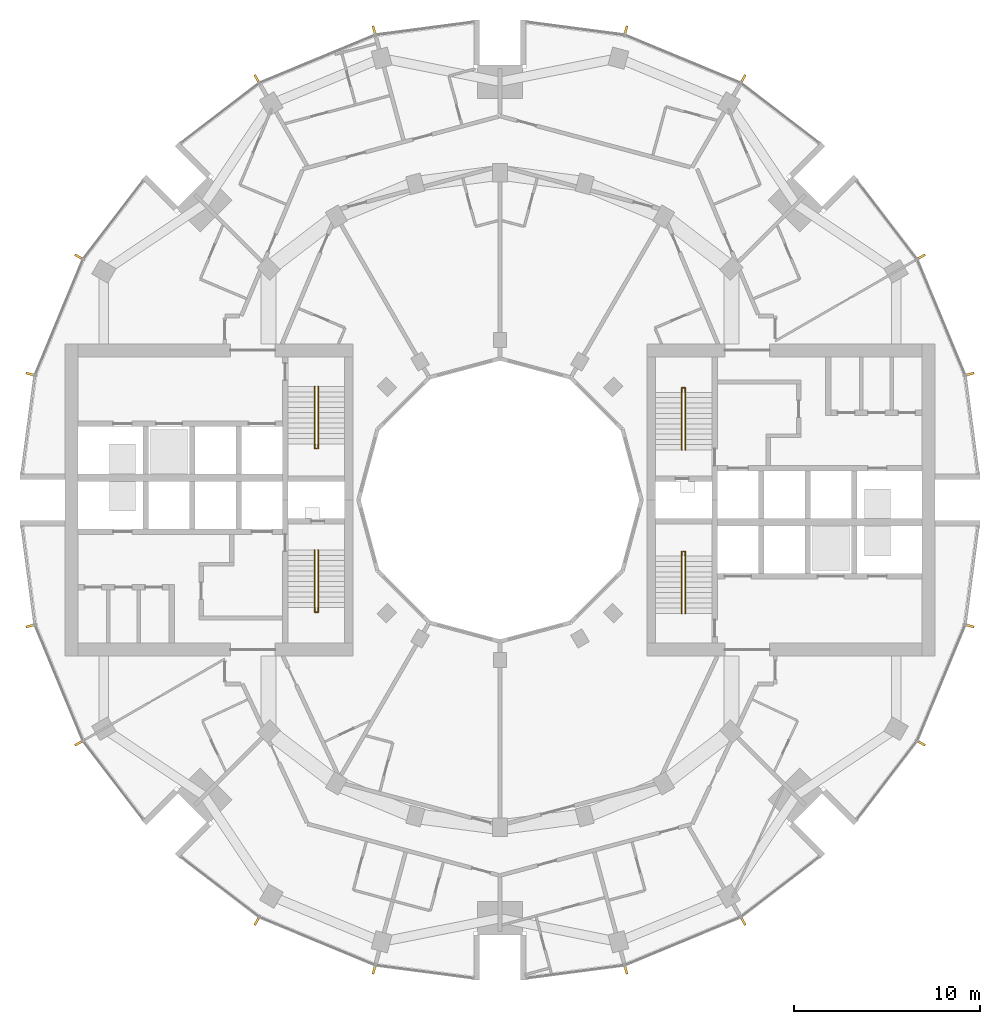
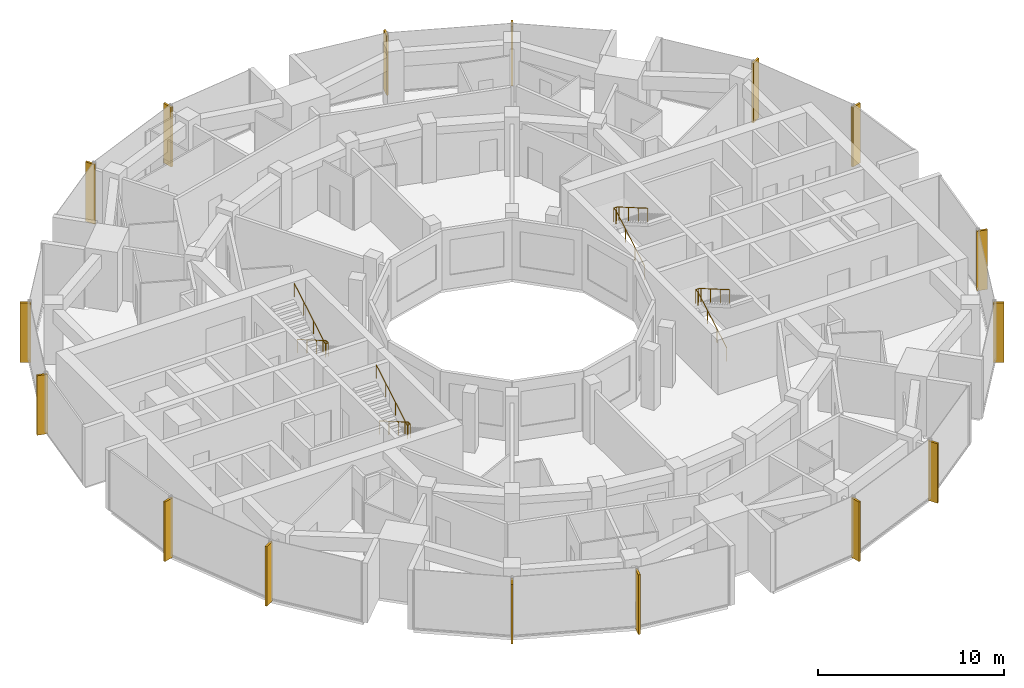
# One storey, part 14 of 15: 16 shading devices, 4 railings.
"""IFC4 building model written with IfcOpenShell, lengths in metres."""

from ifc_helpers import new_model, si_unit, direction, frame, origin, origin_2d, place, context, subcontext, project, spatial, rectangle, circle, extrude, material, material_profile, profile_set, type_object, element, save


model = new_model("IFC4")

# Units and contexts
model_context = context("Model", 3, precision=1e-05, world=origin(), true_north=direction((0.0, 1.0)))
body_context = subcontext(model_context, "Body", "Model", "MODEL_VIEW")
ifc_project = project(units=[si_unit("LENGTHUNIT", "METRE"), si_unit("AREAUNIT", "SQUARE_METRE"), si_unit("VOLUMEUNIT", "CUBIC_METRE"), si_unit("PLANEANGLEUNIT", "RADIAN"), si_unit("MASSUNIT", "GRAM", prefix="KILO")], contexts=[model_context])

# Site, building, storey
site_placement = place(None, origin())
site = spatial("IfcSite", under=ifc_project, at=site_placement, CompositionType="ELEMENT")
building_placement = place(site_placement, origin())
building = spatial("IfcBuilding", under=site, at=building_placement, Name="Torre Brocal", CompositionType="ELEMENT")
storey_placement = place(building_placement, frame((0.0, 0.0, 134.10009765625)))
storey = spatial("IfcBuildingStorey", under=building, at=storey_placement, Name="L31", CompositionType="ELEMENT", Elevation=134.10009765625)

# Shading devices
ifc_material_1 = material(Name="Aluminium, black anodised", Category="aluminium")
ifc_material_profile = material_profile(ifc_material_1, rectangle(XDim=0.1201171875, YDim=0.60009765625, at=origin_2d()), Name="FIN 120X600 3900 HIGH")
ifc_profile_set = profile_set([ifc_material_profile], Name="Aluminium, black anodised")
shading_device_type = type_object("IfcShadingDeviceType", Name="FIN 120X600 3900 HIGH", PredefinedType="USERDEFINED", material=ifc_profile_set)
for number, where, z_axis, x_axis, name in (
    (1, (105.208984375, 81.754638671875, -0.150146484375), (0.0, 0.0, 1.0), (-0.258819045103, 0.965925826289, 0.0), "FIN"),
    (2, (102.601806640625, 88.049072265625, -0.150146484375), (0.0, 0.0, 1.0), (-0.5, 0.866025403784, 0.0), "FIN"),
    (3, (93.049072265625, 97.601806640625, -0.150146484375), (0.0, 0.0, 1.0), (-0.866025403784, 0.5, 0.0), "FIN"),
    (4, (86.754638671875, 100.208984375, -0.150146484375), (0.0, 0.0, 1.0), (-0.965925826289, 0.258819045103, 0.0), "FIN"),
    (5, (73.245361328125, 100.208984375, -0.150146484375), (0.0, 0.0, 1.0), (-0.965925826289, -0.258819045103, 0.0), "FIN"),
    (6, (66.950927734375, 97.601806640625, -0.150146484375), (0.0, 0.0, 1.0), (-0.866025403784, -0.5, 0.0), "FIN"),
    (7, (57.398193359375, 88.049072265625, -0.150146484375), (0.0, 0.0, 1.0), (-0.5, -0.866025403784, 0.0), "FIN"),
    (8, (54.791015625, 81.754638671875, -0.150146484375), (0.0, 0.0, 1.0), (-0.258819045103, -0.965925826289, 0.0), "FIN"),
    (9, (54.791015625, 68.245361328125, -0.150146484375), (0.0, 0.0, 1.0), (0.258819045103, -0.965925826289, 0.0), "FIN"),
    (10, (57.398193359375, 61.950927734375, -0.150146484375), (0.0, 0.0, 1.0), (0.5, -0.866025403784, 0.0), "FIN"),
    (11, (66.950927734375, 52.398193359375, -0.150146484375), (0.0, 0.0, 1.0), (0.866025403784, -0.5, 0.0), "FIN"),
    (12, (73.245361328125, 49.791015625, -0.150146484375), (0.0, 0.0, 1.0), (0.965925826289, -0.258819045103, 0.0), "FIN"),
    (13, (86.754638671875, 49.791015625, -0.150146484375), (0.0, 0.0, 1.0), (0.965925826289, 0.258819045103, 0.0), "FIN"),
    (14, (93.049072265625, 52.398193359375, -0.150146484375), (0.0, 0.0, 1.0), (0.866025403784, 0.5, 0.0), "FIN"),
    (15, (102.601806640625, 61.950927734375, -0.150146484375), (0.0, 0.0, 1.0), (0.5, 0.866025403784, 0.0), "FIN"),
    (16, (105.208984375, 68.245361328125, -0.150146484375), (0.0, 0.0, 1.0), (0.258819045103, 0.965925826289, 0.0), "FIN"),
):
    element("IfcShadingDevice", number, at=place(storey_placement, frame(where, z_axis=z_axis, x_axis=x_axis)), inside=storey, type_object=shading_device_type, Name=name, ObjectType="FIN", PredefinedType="USERDEFINED", context=body_context, shape_type="SweptSolid", body=[
        extrude(rectangle(XDim=0.1201171875, YDim=0.60009765625, at=origin_2d()), origin(), (0.0, 0.0, 1.0), 3.900146484375),
    ])

# Railings
ifc_material_2 = material(Name="Stainless steel AISI 316", Category="steel")
railing_type = type_object("IfcRailingType", Name="STAIR HANDRAIL", PredefinedType="HANDRAIL", material=ifc_material_2)
railing_1_placement = place(storey_placement, frame((89.780029296875, 77.699951171875, 0.162353515625)))
element("IfcRailing", 17, at=railing_1_placement, inside=storey, type_object=railing_type, Name="HANDRAIL ST1", PredefinedType="HANDRAIL", context=body_context, shape_type="SweptSolid", body=[
    extrude(circle(Radius=0.02392578125, at=origin_2d()), frame((0.0, 0.0, 0.8759765625), z_axis=(0.0, 0.864890721111, 0.501960198159), x_axis=(-1.0, 0.0, 0.0)), (0.0, 0.0, 1.0), 3.561279296875),
    extrude(circle(Radius=0.02392578125, at=origin_2d()), frame((0.0, 3.080078125, 2.66357421875), z_axis=(0.0, 1.0, 0.0), x_axis=(-1.0, 0.0, 0.0)), (0.0, 0.0, 1.0), 0.25),
    extrude(circle(Radius=0.02392578125, at=origin_2d()), frame((0.0, 3.330078125, 2.66357421875), z_axis=(1.0, 0.0, 0.0), x_axis=(0.0, 1.0, 0.0)), (0.0, 0.0, 1.0), 0.18994140625),
    extrude(circle(Radius=0.02392578125, at=origin_2d()), frame((0.18994140625, 3.330078125, 2.66357421875), z_axis=(0.0, -0.838668089672, 0.544642851203), x_axis=(1.0, 0.0, 0.0)), (0.0, 0.0, 1.0), 0.298095703125),
    extrude(circle(Radius=0.02392578125, at=origin_2d()), frame((0.18994140625, 3.080078125, 2.82568359375), z_axis=(0.0, -0.864890721111, 0.501960198159), x_axis=(1.0, 0.0, 0.0)), (0.0, 0.0, 1.0), 3.561279296875),
    extrude(circle(Radius=0.02099609375, at=origin_2d()), origin(), (0.0, 0.0, 1.0), 0.851806640625),
    extrude(circle(Radius=0.02099609375, at=origin_2d()), frame((0.0, 1.026611328125, 0.595947265625)), (0.0, 0.0, 1.0), 0.851806640625),
    extrude(circle(Radius=0.02099609375, at=origin_2d()), frame((0.0, 2.053466796875, 1.191650390625)), (0.0, 0.0, 1.0), 0.851806640625),
    extrude(circle(Radius=0.02099609375, at=origin_2d()), frame((0.0, 3.080078125, 1.78759765625)), (0.0, 0.0, 1.0), 0.851806640625),
    extrude(circle(Radius=0.02099609375, at=origin_2d()), frame((0.0, 3.330078125, 1.78759765625)), (0.0, 0.0, 1.0), 0.851806640625),
    extrude(circle(Radius=0.02099609375, at=origin_2d()), frame((0.18994140625, 3.330078125, 1.78759765625)), (0.0, 0.0, 1.0), 0.851806640625),
    extrude(circle(Radius=0.02099609375, at=origin_2d()), frame((0.18994140625, 3.080078125, 1.949951171875)), (0.0, 0.0, 1.0), 0.851806640625),
    extrude(circle(Radius=0.02099609375, at=origin_2d()), frame((0.18994140625, 2.053466796875, 2.5458984375)), (0.0, 0.0, 1.0), 0.851806640625),
    extrude(circle(Radius=0.02099609375, at=origin_2d()), frame((0.18994140625, 1.026611328125, 3.1416015625)), (0.0, 0.0, 1.0), 0.851806640625),
    extrude(circle(Radius=0.02099609375, at=origin_2d()), frame((0.18994140625, 0.0, 3.737548828125)), (0.0, 0.0, 1.0), 0.851806640625),
])
railing_2_placement = place(storey_placement, frame((89.780029296875, 68.89990234375, 0.162353515625)))
element("IfcRailing", 18, at=railing_2_placement, inside=storey, type_object=railing_type, Name="HANDRAIL ST2", PredefinedType="HANDRAIL", context=body_context, shape_type="SweptSolid", body=[
    extrude(circle(Radius=0.02392578125, at=origin_2d()), frame((0.0, 0.0, 0.8759765625), z_axis=(0.0, 0.864890721111, 0.501960198159), x_axis=(-1.0, 0.0, 0.0)), (0.0, 0.0, 1.0), 3.561279296875),
    extrude(circle(Radius=0.02392578125, at=origin_2d()), frame((0.0, 3.080078125, 2.66357421875), z_axis=(0.0, 1.0, 0.0), x_axis=(-1.0, 0.0, 0.0)), (0.0, 0.0, 1.0), 0.25),
    extrude(circle(Radius=0.02392578125, at=origin_2d()), frame((0.0, 3.330078125, 2.66357421875), z_axis=(1.0, 0.0, 0.0), x_axis=(0.0, 1.0, 0.0)), (0.0, 0.0, 1.0), 0.18994140625),
    extrude(circle(Radius=0.02392578125, at=origin_2d()), frame((0.18994140625, 3.330078125, 2.66357421875), z_axis=(0.0, -0.838668089672, 0.544642851203), x_axis=(1.0, 0.0, 0.0)), (0.0, 0.0, 1.0), 0.298095703125),
    extrude(circle(Radius=0.02392578125, at=origin_2d()), frame((0.18994140625, 3.080078125, 2.82568359375), z_axis=(0.0, -0.864890721111, 0.501960198159), x_axis=(1.0, 0.0, 0.0)), (0.0, 0.0, 1.0), 3.561279296875),
    extrude(circle(Radius=0.02099609375, at=origin_2d()), origin(), (0.0, 0.0, 1.0), 0.851806640625),
    extrude(circle(Radius=0.02099609375, at=origin_2d()), frame((0.0, 1.026611328125, 0.595947265625)), (0.0, 0.0, 1.0), 0.851806640625),
    extrude(circle(Radius=0.02099609375, at=origin_2d()), frame((0.0, 2.053466796875, 1.191650390625)), (0.0, 0.0, 1.0), 0.851806640625),
    extrude(circle(Radius=0.02099609375, at=origin_2d()), frame((0.0, 3.080078125, 1.78759765625)), (0.0, 0.0, 1.0), 0.851806640625),
    extrude(circle(Radius=0.02099609375, at=origin_2d()), frame((0.0, 3.330078125, 1.78759765625)), (0.0, 0.0, 1.0), 0.851806640625),
    extrude(circle(Radius=0.02099609375, at=origin_2d()), frame((0.18994140625, 3.330078125, 1.78759765625)), (0.0, 0.0, 1.0), 0.851806640625),
    extrude(circle(Radius=0.02099609375, at=origin_2d()), frame((0.18994140625, 3.080078125, 1.949951171875)), (0.0, 0.0, 1.0), 0.851806640625),
    extrude(circle(Radius=0.02099609375, at=origin_2d()), frame((0.18994140625, 2.053466796875, 2.5458984375)), (0.0, 0.0, 1.0), 0.851806640625),
    extrude(circle(Radius=0.02099609375, at=origin_2d()), frame((0.18994140625, 1.026611328125, 3.1416015625)), (0.0, 0.0, 1.0), 0.851806640625),
    extrude(circle(Radius=0.02099609375, at=origin_2d()), frame((0.18994140625, 0.0, 3.737548828125)), (0.0, 0.0, 1.0), 0.851806640625),
])
railing_3_placement = place(storey_placement, frame((70.219970703125, 72.300048828125, 0.162353515625)))
element("IfcRailing", 19, at=railing_3_placement, inside=storey, type_object=railing_type, Name="HANDRAIL ST3", PredefinedType="HANDRAIL", context=body_context, shape_type="SweptSolid", body=[
    extrude(circle(Radius=0.02392578125, at=origin_2d()), frame((0.0, 0.0, 0.8759765625), z_axis=(0.0, -0.864890721111, 0.501960198159), x_axis=(1.0, 0.0, 0.0)), (0.0, 0.0, 1.0), 3.561279296875),
    extrude(circle(Radius=0.02392578125, at=origin_2d()), frame((0.0, -3.080078125, 2.66357421875), z_axis=(0.0, -1.0, 0.0), x_axis=(1.0, 0.0, 0.0)), (0.0, 0.0, 1.0), 0.25),
    extrude(circle(Radius=0.02392578125, at=origin_2d()), frame((0.0, -3.330078125, 2.66357421875), z_axis=(-1.0, 0.0, 0.0), x_axis=(0.0, -1.0, 0.0)), (0.0, 0.0, 1.0), 0.18994140625),
    extrude(circle(Radius=0.02392578125, at=origin_2d()), frame((-0.18994140625, -3.330078125, 2.66357421875), z_axis=(0.0, 0.838668089672, 0.544642851203), x_axis=(-1.0, 0.0, 0.0)), (0.0, 0.0, 1.0), 0.298095703125),
    extrude(circle(Radius=0.02392578125, at=origin_2d()), frame((-0.18994140625, -3.080078125, 2.82568359375), z_axis=(0.0, 0.864890721111, 0.501960198159), x_axis=(-1.0, 0.0, 0.0)), (0.0, 0.0, 1.0), 3.561279296875),
    extrude(circle(Radius=0.02099609375, at=origin_2d()), origin(), (0.0, 0.0, 1.0), 0.851806640625),
    extrude(circle(Radius=0.02099609375, at=origin_2d()), frame((0.0, -1.026611328125, 0.595947265625)), (0.0, 0.0, 1.0), 0.851806640625),
    extrude(circle(Radius=0.02099609375, at=origin_2d()), frame((0.0, -2.053466796875, 1.191650390625)), (0.0, 0.0, 1.0), 0.851806640625),
    extrude(circle(Radius=0.02099609375, at=origin_2d()), frame((0.0, -3.080078125, 1.78759765625)), (0.0, 0.0, 1.0), 0.851806640625),
    extrude(circle(Radius=0.02099609375, at=origin_2d()), frame((0.0, -3.330078125, 1.78759765625)), (0.0, 0.0, 1.0), 0.851806640625),
    extrude(circle(Radius=0.02099609375, at=origin_2d()), frame((-0.18994140625, -3.330078125, 1.78759765625)), (0.0, 0.0, 1.0), 0.851806640625),
    extrude(circle(Radius=0.02099609375, at=origin_2d()), frame((-0.18994140625, -3.080078125, 1.949951171875)), (0.0, 0.0, 1.0), 0.851806640625),
    extrude(circle(Radius=0.02099609375, at=origin_2d()), frame((-0.18994140625, -2.053466796875, 2.5458984375)), (0.0, 0.0, 1.0), 0.851806640625),
    extrude(circle(Radius=0.02099609375, at=origin_2d()), frame((-0.18994140625, -1.026611328125, 3.1416015625)), (0.0, 0.0, 1.0), 0.851806640625),
    extrude(circle(Radius=0.02099609375, at=origin_2d()), frame((-0.18994140625, 0.0, 3.737548828125)), (0.0, 0.0, 1.0), 0.851806640625),
])
railing_4_placement = place(storey_placement, frame((70.219970703125, 81.10009765625, 0.162353515625)))
element("IfcRailing", 20, at=railing_4_placement, inside=storey, type_object=railing_type, Name="HANDRAIL ST4", PredefinedType="HANDRAIL", context=body_context, shape_type="SweptSolid", body=[
    extrude(circle(Radius=0.02392578125, at=origin_2d()), frame((0.0, 0.0, 0.8759765625), z_axis=(0.0, -0.864890721111, 0.501960198159), x_axis=(1.0, 0.0, 0.0)), (0.0, 0.0, 1.0), 3.561279296875),
    extrude(circle(Radius=0.02392578125, at=origin_2d()), frame((0.0, -3.080078125, 2.66357421875), z_axis=(0.0, -1.0, 0.0), x_axis=(1.0, 0.0, 0.0)), (0.0, 0.0, 1.0), 0.25),
    extrude(circle(Radius=0.02392578125, at=origin_2d()), frame((0.0, -3.330078125, 2.66357421875), z_axis=(-1.0, 0.0, 0.0), x_axis=(0.0, -1.0, 0.0)), (0.0, 0.0, 1.0), 0.18994140625),
    extrude(circle(Radius=0.02392578125, at=origin_2d()), frame((-0.18994140625, -3.330078125, 2.66357421875), z_axis=(0.0, 0.838668089672, 0.544642851203), x_axis=(-1.0, 0.0, 0.0)), (0.0, 0.0, 1.0), 0.298095703125),
    extrude(circle(Radius=0.02392578125, at=origin_2d()), frame((-0.18994140625, -3.080078125, 2.82568359375), z_axis=(0.0, 0.864890721111, 0.501960198159), x_axis=(-1.0, 0.0, 0.0)), (0.0, 0.0, 1.0), 3.561279296875),
    extrude(circle(Radius=0.02099609375, at=origin_2d()), origin(), (0.0, 0.0, 1.0), 0.851806640625),
    extrude(circle(Radius=0.02099609375, at=origin_2d()), frame((0.0, -1.026611328125, 0.595947265625)), (0.0, 0.0, 1.0), 0.851806640625),
    extrude(circle(Radius=0.02099609375, at=origin_2d()), frame((0.0, -2.053466796875, 1.191650390625)), (0.0, 0.0, 1.0), 0.851806640625),
    extrude(circle(Radius=0.02099609375, at=origin_2d()), frame((0.0, -3.080078125, 1.78759765625)), (0.0, 0.0, 1.0), 0.851806640625),
    extrude(circle(Radius=0.02099609375, at=origin_2d()), frame((0.0, -3.330078125, 1.78759765625)), (0.0, 0.0, 1.0), 0.851806640625),
    extrude(circle(Radius=0.02099609375, at=origin_2d()), frame((-0.18994140625, -3.330078125, 1.78759765625)), (0.0, 0.0, 1.0), 0.851806640625),
    extrude(circle(Radius=0.02099609375, at=origin_2d()), frame((-0.18994140625, -3.080078125, 1.949951171875)), (0.0, 0.0, 1.0), 0.851806640625),
    extrude(circle(Radius=0.02099609375, at=origin_2d()), frame((-0.18994140625, -2.053466796875, 2.5458984375)), (0.0, 0.0, 1.0), 0.851806640625),
    extrude(circle(Radius=0.02099609375, at=origin_2d()), frame((-0.18994140625, -1.026611328125, 3.1416015625)), (0.0, 0.0, 1.0), 0.851806640625),
    extrude(circle(Radius=0.02099609375, at=origin_2d()), frame((-0.18994140625, 0.0, 3.737548828125)), (0.0, 0.0, 1.0), 0.851806640625),
])

save(model, "model.ifc")
